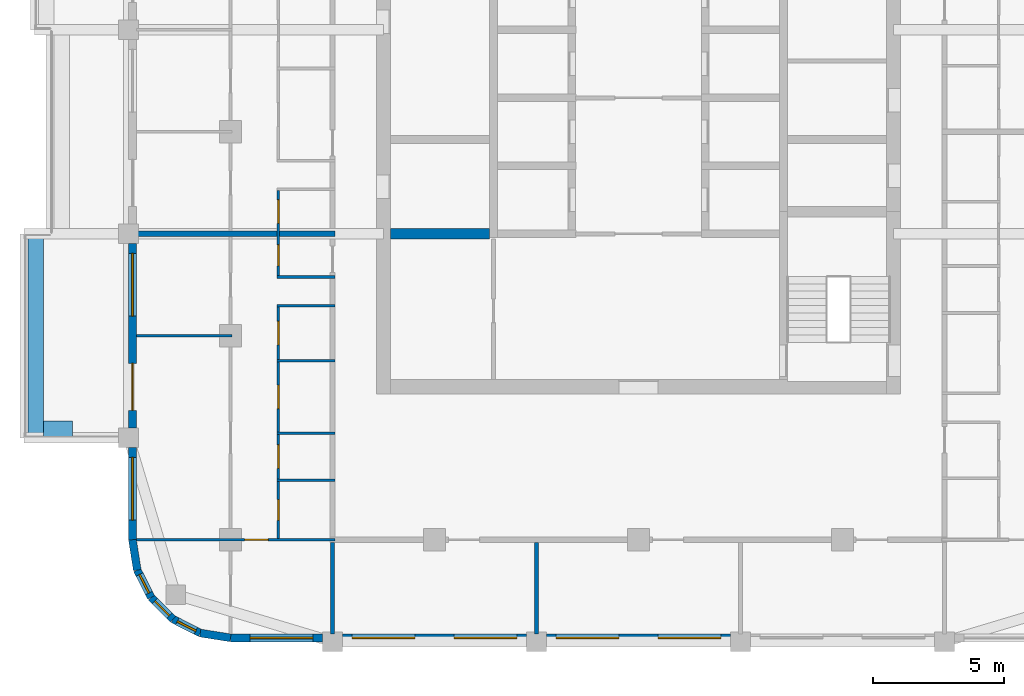
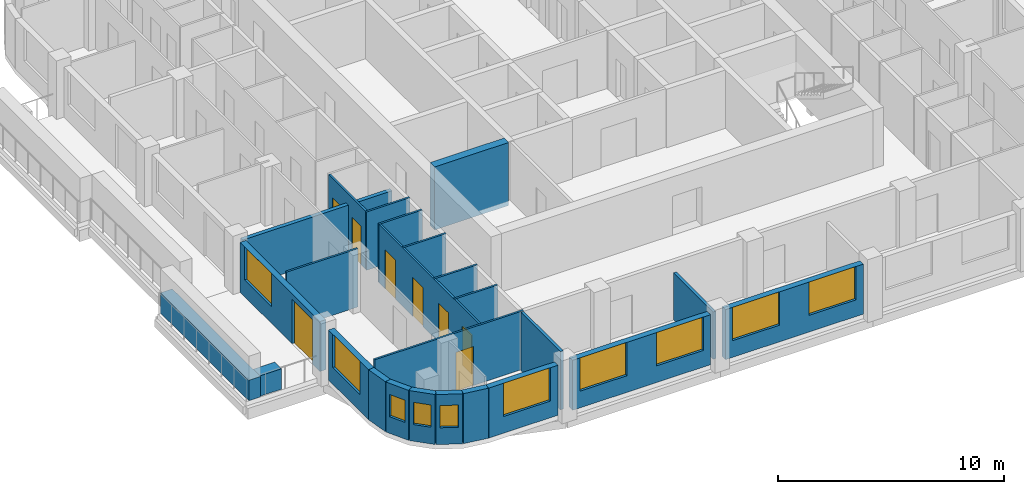
# One storey, part 2 of 13: 25 walls, 10 windows, 8 doors, 18 openings.
"""IFC4 building model written with IfcOpenShell, lengths in metres."""

from ifc_helpers import new_model, si_unit, direction, frame, frame_2d, origin, place, context, subcontext, project, spatial, rectangle, extrude, material, layer, layer_set, type_object, element, fill, save


model = new_model("IFC4")

# Units and contexts
model_context = context("Model", 3, precision=1e-05, world=origin(), true_north=direction((0.0, 1.0)))
body_context = subcontext(model_context, "Body", "Model", "MODEL_VIEW")
ifc_project = project(units=[si_unit("LENGTHUNIT", "METRE"), si_unit("AREAUNIT", "SQUARE_METRE"), si_unit("VOLUMEUNIT", "CUBIC_METRE"), si_unit("PLANEANGLEUNIT", "RADIAN"), si_unit("MASSUNIT", "GRAM", prefix="KILO")], contexts=[model_context])

# Site, building, storey
site_placement = place(None, origin())
site = spatial("IfcSite", under=ifc_project, at=site_placement, CompositionType="ELEMENT")
building_placement = place(site_placement, origin())
building = spatial("IfcBuilding", under=site, at=building_placement, Name="Ludao Terraces", CompositionType="ELEMENT")
storey_placement = place(building_placement, frame((0.0, 0.0, 155.39990234375)))
storey = spatial("IfcBuildingStorey", under=building, at=storey_placement, Name="L42", CompositionType="ELEMENT", Elevation=155.39990234375)

# Walls
ifc_material_1 = material(Name="Concrete C40", Category="concrete")
ifc_layer_1 = layer(ifc_material_1, 0.60009765625)
ifc_layer_set_1 = layer_set([ifc_layer_1], Name="ENV Planter trough 600")
wall_type_1 = type_object("IfcWallType", Name="ENV Planter trough 600", PredefinedType="USERDEFINED", material=ifc_layer_set_1)
wall_1_placement = place(storey_placement, frame((61.949951171875, 53.300048828125, 0.0), z_axis=(0.0, 0.0, 1.0), x_axis=(0.0, 1.0, 0.0)))
element("IfcWall", 1, at=wall_1_placement, inside=storey, type_object=wall_type_1, Name="PL-L42-W1", ObjectType="PLANTER", PredefinedType="USERDEFINED", context=body_context, shape_type="SweptSolid", body=[
    extrude(rectangle(XDim=7.800048828125, YDim=0.60009765625, at=frame_2d((3.89990234375, 0.0))), origin(), (0.0, 0.0, 1.0), 1.10009765625),
])
wall_2_placement = place(storey_placement, frame((62.25, 53.64990234375, 0.0), z_axis=(0.0, 0.0, 1.0), x_axis=(1.0, 0.0, 0.0)))
element("IfcWall", 2, at=wall_2_placement, inside=storey, type_object=wall_type_1, Name="PL-L42-W1-SA", ObjectType="PLANTER", PredefinedType="USERDEFINED", context=body_context, shape_type="SweptSolid", body=[
    extrude(rectangle(XDim=1.10009765625, YDim=0.60009765625, at=frame_2d((0.550048828125, 0.0))), origin(), (0.0, 0.0, 1.0), 1.10009765625),
])

# Wall, opening, window
ifc_material_2 = material(Name="Granite cladding", Category="masonry")
ifc_layer_2 = layer(ifc_material_2, 0.0400390625, Category="stone")
ifc_material_3 = material(Name="Mineral wool")
ifc_layer_3 = layer(ifc_material_3, 0.06005859375)
ifc_layer_4 = layer(ifc_material_1, 0.199951171875, Category="concrete")
ifc_layer_set_2 = layer_set([ifc_layer_2, ifc_layer_3, ifc_layer_4], Name="ENV Stone-clad wall 300")
wall_type_2 = type_object("IfcWallType", Name="ENV Stone-clad wall 300", PredefinedType="SOLIDWALL", material=ifc_layer_set_2)
wall_3_placement = place(storey_placement, frame((69.39990234375, 45.64990234375, 0.0), z_axis=(0.0, 0.0, 1.0), x_axis=(1.0, 0.0, 0.0)))
wall_3 = element("IfcWall", 3, at=wall_3_placement, inside=storey, type_object=wall_type_2, Name="EW-L42-S1", PredefinedType="SOLIDWALL", context=body_context, shape_type="SweptSolid", body=[
    extrude(rectangle(XDim=3.525146484375, YDim=0.300048828125, at=frame_2d((1.7626953125, 0.0))), origin(), (0.0, 0.0, 1.0), 2.7001953125),
])
opening_1_placement = place(wall_3_placement, frame((0.75, 0.0, 0.89990234375)))
opening_1 = element("IfcOpeningElement", 4, at=opening_1_placement, cuts=wall_3, Name="Opening W1", PredefinedType="OPENING", context=body_context, shape_type="SweptSolid", body=[
    extrude(rectangle(XDim=2.39990234375, YDim=1.800048828125, at=frame_2d((1.199951171875, 0.89990234375))), frame((0.0, 0.16015625, 0.0), z_axis=(0.0, -1.0, 0.0), x_axis=(1.0, 0.0, 0.0)), (0.0, 0.0, 1.0), 0.320068359375),
])
ifc_material_4 = material(Name="Clear glass in aluminium frame", Category="aluminium")
ifc_layer_5 = layer(ifc_material_4, 0.06005859375)
ifc_layer_set_3 = layer_set([ifc_layer_5], Name="ENV Window W1 2400x1800")
window_type_1 = type_object("IfcWindowType", Name="ENV Window W1 2400x1800", PartitioningType="DOUBLE_PANEL_VERTICAL", PredefinedType="WINDOW", material=ifc_layer_set_3)
window_1_placement = place(opening_1_placement, origin())
window_1 = element("IfcWindow", 5, at=window_1_placement, inside=storey, type_object=window_type_1, Name="W-L42-S1-1", OverallHeight=1.800048828125, OverallWidth=2.39990234375, PartitioningType="DOUBLE_PANEL_VERTICAL", PredefinedType="WINDOW", context=body_context, shape_type="SweptSolid", body=[
    extrude(rectangle(XDim=2.39990234375, YDim=1.800048828125, at=frame_2d((1.199951171875, 0.89990234375))), frame((0.0, 0.030029296875, 0.0), z_axis=(0.0, -1.0, 0.0), x_axis=(1.0, 0.0, 0.0)), (0.0, 0.0, 1.0), 0.06005859375),
])
fill(opening_1, window_1)

# Wall, openings, windows
wall_4_placement = place(storey_placement, frame((73.675048828125, 45.64990234375, 0.0), z_axis=(0.0, 0.0, 1.0), x_axis=(1.0, 0.0, 0.0)))
wall_4 = element("IfcWall", 6, at=wall_4_placement, inside=storey, type_object=wall_type_2, Name="EW-L42-S2", PredefinedType="SOLIDWALL", context=body_context, shape_type="SweptSolid", body=[
    extrude(rectangle(XDim=7.050048828125, YDim=0.300048828125, at=frame_2d((3.52490234375, 0.0))), origin(), (0.0, 0.0, 1.0), 2.7001953125),
])
opening_2_placement = place(wall_4_placement, frame((0.375, 0.0, 0.89990234375)))
opening_2 = element("IfcOpeningElement", 7, at=opening_2_placement, cuts=wall_4, Name="Opening W1", PredefinedType="OPENING", context=body_context, shape_type="SweptSolid", body=[
    extrude(rectangle(XDim=2.39990234375, YDim=1.800048828125, at=frame_2d((1.199951171875, 0.89990234375))), frame((0.0, 0.16015625, 0.0), z_axis=(0.0, -1.0, 0.0), x_axis=(1.0, 0.0, 0.0)), (0.0, 0.0, 1.0), 0.320068359375),
])
opening_3_placement = place(wall_4_placement, frame((4.27490234375, 0.0, 0.89990234375)))
opening_3 = element("IfcOpeningElement", 8, at=opening_3_placement, cuts=wall_4, Name="Opening W1", PredefinedType="OPENING", context=body_context, shape_type="SweptSolid", body=[
    extrude(rectangle(XDim=2.39990234375, YDim=1.800048828125, at=frame_2d((1.199951171875, 0.89990234375))), frame((0.0, 0.16015625, 0.0), z_axis=(0.0, -1.0, 0.0), x_axis=(1.0, 0.0, 0.0)), (0.0, 0.0, 1.0), 0.320068359375),
])
window_2_placement = place(opening_2_placement, origin())
window_2 = element("IfcWindow", 9, at=window_2_placement, inside=storey, type_object=window_type_1, Name="W-L42-S2-1", OverallHeight=1.800048828125, OverallWidth=2.39990234375, PartitioningType="DOUBLE_PANEL_VERTICAL", PredefinedType="WINDOW", context=body_context, shape_type="SweptSolid", body=[
    extrude(rectangle(XDim=2.39990234375, YDim=1.800048828125, at=frame_2d((1.199951171875, 0.89990234375))), frame((0.0, 0.030029296875, 0.0), z_axis=(0.0, -1.0, 0.0), x_axis=(1.0, 0.0, 0.0)), (0.0, 0.0, 1.0), 0.06005859375),
])
fill(opening_2, window_2)
window_3_placement = place(opening_3_placement, origin())
window_3 = element("IfcWindow", 10, at=window_3_placement, inside=storey, type_object=window_type_1, Name="W-L42-S2-2", OverallHeight=1.800048828125, OverallWidth=2.39990234375, PartitioningType="DOUBLE_PANEL_VERTICAL", PredefinedType="WINDOW", context=body_context, shape_type="SweptSolid", body=[
    extrude(rectangle(XDim=2.39990234375, YDim=1.800048828125, at=frame_2d((1.199951171875, 0.89990234375))), frame((0.0, 0.030029296875, 0.0), z_axis=(0.0, -1.0, 0.0), x_axis=(1.0, 0.0, 0.0)), (0.0, 0.0, 1.0), 0.06005859375),
])
fill(opening_3, window_3)

wall_5_placement = place(storey_placement, frame((81.47509765625, 45.64990234375, 0.0), z_axis=(0.0, 0.0, 1.0), x_axis=(1.0, 0.0, 0.0)))
wall_5 = element("IfcWall", 11, at=wall_5_placement, inside=storey, type_object=wall_type_2, Name="EW-L42-S3", PredefinedType="SOLIDWALL", context=body_context, shape_type="SweptSolid", body=[
    extrude(rectangle(XDim=7.0498046875, YDim=0.300048828125, at=frame_2d((3.52490234375, 0.0))), origin(), (0.0, 0.0, 1.0), 2.7001953125),
])
opening_4_placement = place(wall_5_placement, frame((0.375, 0.0, 0.89990234375)))
opening_4 = element("IfcOpeningElement", 12, at=opening_4_placement, cuts=wall_5, Name="Opening W1", PredefinedType="OPENING", context=body_context, shape_type="SweptSolid", body=[
    extrude(rectangle(XDim=2.39990234375, YDim=1.800048828125, at=frame_2d((1.199951171875, 0.89990234375))), frame((0.0, 0.16015625, 0.0), z_axis=(0.0, -1.0, 0.0), x_axis=(1.0, 0.0, 0.0)), (0.0, 0.0, 1.0), 0.320068359375),
])
opening_5_placement = place(wall_5_placement, frame((4.27490234375, 0.0, 0.89990234375)))
opening_5 = element("IfcOpeningElement", 13, at=opening_5_placement, cuts=wall_5, Name="Opening W1", PredefinedType="OPENING", context=body_context, shape_type="SweptSolid", body=[
    extrude(rectangle(XDim=2.39990234375, YDim=1.800048828125, at=frame_2d((1.199951171875, 0.89990234375))), frame((0.0, 0.16015625, 0.0), z_axis=(0.0, -1.0, 0.0), x_axis=(1.0, 0.0, 0.0)), (0.0, 0.0, 1.0), 0.320068359375),
])
window_4_placement = place(opening_4_placement, origin())
window_4 = element("IfcWindow", 14, at=window_4_placement, inside=storey, type_object=window_type_1, Name="W-L42-S3-1", OverallHeight=1.800048828125, OverallWidth=2.39990234375, PartitioningType="DOUBLE_PANEL_VERTICAL", PredefinedType="WINDOW", context=body_context, shape_type="SweptSolid", body=[
    extrude(rectangle(XDim=2.39990234375, YDim=1.800048828125, at=frame_2d((1.199951171875, 0.89990234375))), frame((0.0, 0.030029296875, 0.0), z_axis=(0.0, -1.0, 0.0), x_axis=(1.0, 0.0, 0.0)), (0.0, 0.0, 1.0), 0.06005859375),
])
fill(opening_4, window_4)
window_5_placement = place(opening_5_placement, origin())
window_5 = element("IfcWindow", 15, at=window_5_placement, inside=storey, type_object=window_type_1, Name="W-L42-S3-2", OverallHeight=1.800048828125, OverallWidth=2.39990234375, PartitioningType="DOUBLE_PANEL_VERTICAL", PredefinedType="WINDOW", context=body_context, shape_type="SweptSolid", body=[
    extrude(rectangle(XDim=2.39990234375, YDim=1.800048828125, at=frame_2d((1.199951171875, 0.89990234375))), frame((0.0, 0.030029296875, 0.0), z_axis=(0.0, -1.0, 0.0), x_axis=(1.0, 0.0, 0.0)), (0.0, 0.0, 1.0), 0.06005859375),
])
fill(opening_5, window_5)

# Wall, opening, window
wall_6_placement = place(storey_placement, frame((65.64990234375, 49.39990234375, 0.0), z_axis=(0.0, 0.0, 1.0), x_axis=(0.0, 1.0, 0.0)))
wall_6 = element("IfcWall", 16, at=wall_6_placement, inside=storey, type_object=wall_type_2, Name="EW-L42-W1", PredefinedType="SOLIDWALL", context=body_context, shape_type="SweptSolid", body=[
    extrude(rectangle(XDim=3.525146484375, YDim=0.300048828125, at=frame_2d((1.7626953125, 0.0))), origin(), (0.0, 0.0, 1.0), 2.7001953125),
])
opening_6_placement = place(wall_6_placement, frame((0.75, 0.0, 0.89990234375)))
opening_6 = element("IfcOpeningElement", 17, at=opening_6_placement, cuts=wall_6, Name="Opening W1", PredefinedType="OPENING", context=body_context, shape_type="SweptSolid", body=[
    extrude(rectangle(XDim=2.39990234375, YDim=1.800048828125, at=frame_2d((1.199951171875, 0.89990234375))), frame((0.0, 0.16015625, 0.0), z_axis=(0.0, -1.0, 0.0), x_axis=(1.0, 0.0, 0.0)), (0.0, 0.0, 1.0), 0.320068359375),
])
window_6_placement = place(opening_6_placement, origin())
window_6 = element("IfcWindow", 18, at=window_6_placement, inside=storey, type_object=window_type_1, Name="W-L42-W1-1", OverallHeight=1.800048828125, OverallWidth=2.39990234375, PartitioningType="DOUBLE_PANEL_VERTICAL", PredefinedType="WINDOW", context=body_context, shape_type="SweptSolid", body=[
    extrude(rectangle(XDim=2.39990234375, YDim=1.800048828125, at=frame_2d((1.199951171875, 0.89990234375))), frame((0.0, 0.030029296875, 0.0), z_axis=(0.0, -1.0, 0.0), x_axis=(1.0, 0.0, 0.0)), (0.0, 0.0, 1.0), 0.06005859375),
])
fill(opening_6, window_6)

# Wall, openings, door, window
wall_7_placement = place(storey_placement, frame((65.64990234375, 53.675048828125, 0.0), z_axis=(0.0, 0.0, 1.0), x_axis=(0.0, 1.0, 0.0)))
wall_7 = element("IfcWall", 19, at=wall_7_placement, inside=storey, type_object=wall_type_2, Name="EW-L42-W2", PredefinedType="SOLIDWALL", context=body_context, shape_type="SweptSolid", body=[
    extrude(rectangle(XDim=7.050048828125, YDim=0.300048828125, at=frame_2d((3.52490234375, 0.0))), origin(), (0.0, 0.0, 1.0), 2.7001953125),
])
opening_7_placement = place(wall_7_placement, frame((0.675048828125, 0.0, 0.0)))
opening_7 = element("IfcOpeningElement", 20, at=opening_7_placement, cuts=wall_7, Name="Opening BD", PredefinedType="OPENING", context=body_context, shape_type="SweptSolid", body=[
    extrude(rectangle(XDim=1.800048828125, YDim=2.39990234375, at=frame_2d((0.89990234375, 1.199951171875))), frame((0.0, 0.16015625, 0.0), z_axis=(0.0, -1.0, 0.0), x_axis=(1.0, 0.0, 0.0)), (0.0, 0.0, 1.0), 0.320068359375),
])
opening_8_placement = place(wall_7_placement, frame((4.27490234375, 0.0, 0.89990234375)))
opening_8 = element("IfcOpeningElement", 21, at=opening_8_placement, cuts=wall_7, Name="Opening W1", PredefinedType="OPENING", context=body_context, shape_type="SweptSolid", body=[
    extrude(rectangle(XDim=2.39990234375, YDim=1.800048828125, at=frame_2d((1.199951171875, 0.89990234375))), frame((0.0, 0.16015625, 0.0), z_axis=(0.0, -1.0, 0.0), x_axis=(1.0, 0.0, 0.0)), (0.0, 0.0, 1.0), 0.320068359375),
])
ifc_material_5 = material(Name="Aluminium glazed door", Category="aluminium")
ifc_layer_6 = layer(ifc_material_5, 0.06005859375)
ifc_layer_set_4 = layer_set([ifc_layer_6], Name="ENV Balcony door BD 1800x2400")
door_type_1 = type_object("IfcDoorType", Name="ENV Balcony door BD 1800x2400", OperationType="DOUBLE_DOOR_SINGLE_SWING", PredefinedType="DOOR", material=ifc_layer_set_4)
door_1_placement = place(opening_7_placement, origin())
door_1 = element("IfcDoor", 22, at=door_1_placement, inside=storey, type_object=door_type_1, Name="BD-L42-W2-1", OperationType="DOUBLE_DOOR_SINGLE_SWING", OverallHeight=2.39990234375, OverallWidth=1.800048828125, PredefinedType="DOOR", context=body_context, shape_type="SweptSolid", body=[
    extrude(rectangle(XDim=1.800048828125, YDim=2.39990234375, at=frame_2d((0.89990234375, 1.199951171875))), frame((0.0, 0.02490234375, 0.0), z_axis=(0.0, -1.0, 0.0), x_axis=(1.0, 0.0, 0.0)), (0.0, 0.0, 1.0), 0.050048828125),
])
fill(opening_7, door_1)
window_7_placement = place(opening_8_placement, origin())
window_7 = element("IfcWindow", 23, at=window_7_placement, inside=storey, type_object=window_type_1, Name="W-L42-W2-2", OverallHeight=1.800048828125, OverallWidth=2.39990234375, PartitioningType="DOUBLE_PANEL_VERTICAL", PredefinedType="WINDOW", context=body_context, shape_type="SweptSolid", body=[
    extrude(rectangle(XDim=2.39990234375, YDim=1.800048828125, at=frame_2d((1.199951171875, 0.89990234375))), frame((0.0, 0.030029296875, 0.0), z_axis=(0.0, -1.0, 0.0), x_axis=(1.0, 0.0, 0.0)), (0.0, 0.0, 1.0), 0.06005859375),
])
fill(opening_8, window_7)

# Wall
wall_8_placement = place(storey_placement, frame((65.64990234375, 49.39990234375, 0.0), z_axis=(0.0, 0.0, 1.0), x_axis=(0.156496880861, -0.987678452879, 0.0)))
element("IfcWall", 24, at=wall_8_placement, inside=storey, type_object=wall_type_2, Name="EW-L42-SW1", PredefinedType="SOLIDWALL", context=body_context, shape_type="SweptSolid", body=[
    extrude(rectangle(XDim=1.173095703125, YDim=0.300048828125, at=frame_2d((0.58642578125, 0.0))), origin(), (0.0, 0.0, 1.0), 2.7001953125),
])

# Wall, opening, window
wall_9_placement = place(storey_placement, frame((65.83349609375, 48.2412109375, 0.0), z_axis=(0.0, 0.0, 1.0), x_axis=(0.454025524128, -0.890988677504, 0.0)))
wall_9 = element("IfcWall", 25, at=wall_9_placement, inside=storey, type_object=wall_type_2, Name="EW-L42-SW2", PredefinedType="SOLIDWALL", context=body_context, shape_type="SweptSolid", body=[
    extrude(rectangle(XDim=1.17333984375, YDim=0.300048828125, at=frame_2d((0.586669921875, 0.0))), origin(), (0.0, 0.0, 1.0), 2.7001953125),
])
opening_9_placement = place(wall_9_placement, frame((0.1865234375, 0.0, 0.89990234375)))
opening_9 = element("IfcOpeningElement", 26, at=opening_9_placement, cuts=wall_9, Name="Opening W3", PredefinedType="OPENING", context=body_context, shape_type="SweptSolid", body=[
    extrude(rectangle(XDim=0.800048828125, YDim=1.199951171875, at=frame_2d((0.39990234375, 0.60009765625))), frame((0.0, 0.16015625, 0.0), z_axis=(0.0, -1.0, 0.0), x_axis=(1.0, 0.0, 0.0)), (0.0, 0.0, 1.0), 0.320068359375),
])
ifc_layer_7 = layer(ifc_material_4, 0.06005859375)
ifc_layer_set_5 = layer_set([ifc_layer_7], Name="ENV Window W3 800x1200")
window_type_2 = type_object("IfcWindowType", Name="ENV Window W3 800x1200", PartitioningType="SINGLE_PANEL", PredefinedType="WINDOW", material=ifc_layer_set_5)
window_8_placement = place(opening_9_placement, origin())
window_8 = element("IfcWindow", 27, at=window_8_placement, inside=storey, type_object=window_type_2, Name="W-L42-SW2", OverallHeight=1.199951171875, OverallWidth=0.800048828125, PartitioningType="SINGLE_PANEL", PredefinedType="WINDOW", context=body_context, shape_type="SweptSolid", body=[
    extrude(rectangle(XDim=0.800048828125, YDim=1.199951171875, at=frame_2d((0.39990234375, 0.60009765625))), frame((0.0, 0.030029296875, 0.0), z_axis=(0.0, -1.0, 0.0), x_axis=(1.0, 0.0, 0.0)), (0.0, 0.0, 1.0), 0.06005859375),
])
fill(opening_9, window_8)

wall_10_placement = place(storey_placement, frame((66.3662109375, 47.19580078125, 0.0), z_axis=(0.0, 0.0, 1.0), x_axis=(0.707106781187, -0.707106781187, 0.0)))
wall_10 = element("IfcWall", 28, at=wall_10_placement, inside=storey, type_object=wall_type_2, Name="EW-L42-SW3", PredefinedType="SOLIDWALL", context=body_context, shape_type="SweptSolid", body=[
    extrude(rectangle(XDim=1.173095703125, YDim=0.300048828125, at=frame_2d((0.58642578125, 0.0))), origin(), (0.0, 0.0, 1.0), 2.7001953125),
])
opening_10_placement = place(wall_10_placement, frame((0.1865234375, 0.0, 0.89990234375)))
opening_10 = element("IfcOpeningElement", 29, at=opening_10_placement, cuts=wall_10, Name="Opening W3", PredefinedType="OPENING", context=body_context, shape_type="SweptSolid", body=[
    extrude(rectangle(XDim=0.800048828125, YDim=1.199951171875, at=frame_2d((0.39990234375, 0.60009765625))), frame((0.0, 0.16015625, 0.0), z_axis=(0.0, -1.0, 0.0), x_axis=(1.0, 0.0, 0.0)), (0.0, 0.0, 1.0), 0.320068359375),
])
window_9_placement = place(opening_10_placement, origin())
window_9 = element("IfcWindow", 30, at=window_9_placement, inside=storey, type_object=window_type_2, Name="W-L42-SW3", OverallHeight=1.199951171875, OverallWidth=0.800048828125, PartitioningType="SINGLE_PANEL", PredefinedType="WINDOW", context=body_context, shape_type="SweptSolid", body=[
    extrude(rectangle(XDim=0.800048828125, YDim=1.199951171875, at=frame_2d((0.39990234375, 0.60009765625))), frame((0.0, 0.030029296875, 0.0), z_axis=(0.0, -1.0, 0.0), x_axis=(1.0, 0.0, 0.0)), (0.0, 0.0, 1.0), 0.06005859375),
])
fill(opening_10, window_9)

wall_11_placement = place(storey_placement, frame((67.19580078125, 46.3662109375, 0.0), z_axis=(0.0, 0.0, 1.0), x_axis=(0.890988677504, -0.454025524128, 0.0)))
wall_11 = element("IfcWall", 31, at=wall_11_placement, inside=storey, type_object=wall_type_2, Name="EW-L42-SW4", PredefinedType="SOLIDWALL", context=body_context, shape_type="SweptSolid", body=[
    extrude(rectangle(XDim=1.17333984375, YDim=0.300048828125, at=frame_2d((0.586669921875, 0.0))), origin(), (0.0, 0.0, 1.0), 2.7001953125),
])
opening_11_placement = place(wall_11_placement, frame((0.1865234375, 0.0, 0.89990234375)))
opening_11 = element("IfcOpeningElement", 32, at=opening_11_placement, cuts=wall_11, Name="Opening W3", PredefinedType="OPENING", context=body_context, shape_type="SweptSolid", body=[
    extrude(rectangle(XDim=0.800048828125, YDim=1.199951171875, at=frame_2d((0.39990234375, 0.60009765625))), frame((0.0, 0.16015625, 0.0), z_axis=(0.0, -1.0, 0.0), x_axis=(1.0, 0.0, 0.0)), (0.0, 0.0, 1.0), 0.320068359375),
])
window_10_placement = place(opening_11_placement, origin())
window_10 = element("IfcWindow", 33, at=window_10_placement, inside=storey, type_object=window_type_2, Name="W-L42-SW4", OverallHeight=1.199951171875, OverallWidth=0.800048828125, PartitioningType="SINGLE_PANEL", PredefinedType="WINDOW", context=body_context, shape_type="SweptSolid", body=[
    extrude(rectangle(XDim=0.800048828125, YDim=1.199951171875, at=frame_2d((0.39990234375, 0.60009765625))), frame((0.0, 0.030029296875, 0.0), z_axis=(0.0, -1.0, 0.0), x_axis=(1.0, 0.0, 0.0)), (0.0, 0.0, 1.0), 0.06005859375),
])
fill(opening_11, window_10)

# Wall
wall_12_placement = place(storey_placement, frame((68.2412109375, 45.83349609375, 0.0), z_axis=(0.0, 0.0, 1.0), x_axis=(0.987678452879, -0.156496880861, 0.0)))
element("IfcWall", 34, at=wall_12_placement, inside=storey, type_object=wall_type_2, Name="EW-L42-SW5", PredefinedType="SOLIDWALL", context=body_context, shape_type="SweptSolid", body=[
    extrude(rectangle(XDim=1.173095703125, YDim=0.300048828125, at=frame_2d((0.58642578125, 0.0))), origin(), (0.0, 0.0, 1.0), 2.7001953125),
])

# Wall, opening, door
ifc_material_6 = material(Name="Gypsum plasterboard", Category="gypsum")
ifc_layer_8 = layer(ifc_material_6, 0.012451171875, Category="gypsum")
ifc_layer_9 = layer(ifc_material_3, 0.06005859375, Name="insulation")
ifc_material_7 = material(Name="Steel Q235", Category="steel")
ifc_layer_10 = layer(ifc_material_7, 0.014892578125, Name="stud")
ifc_layer_11 = layer(ifc_material_6, 0.012451171875, Category="gypsum")
ifc_layer_set_6 = layer_set([ifc_layer_8, ifc_layer_9, ifc_layer_10, ifc_layer_11], Name="INT Partition 100")
wall_type_3 = type_object("IfcWallType", Name="INT Partition 100", PredefinedType="PARTITIONING", material=ifc_layer_set_6)
wall_13_placement = place(storey_placement, frame((65.800048828125, 49.39990234375, 0.0), z_axis=(0.0, 0.0, 1.0), x_axis=(1.0, 0.0, 0.0)))
wall_13 = element("IfcWall", 35, at=wall_13_placement, inside=storey, type_object=wall_type_3, Name="PW-L42-PW000", PredefinedType="PARTITIONING", context=body_context, shape_type="SweptSolid", body=[
    extrude(rectangle(XDim=7.60009765625, YDim=0.10009765625, at=frame_2d((3.800048828125, 0.0))), origin(), (0.0, 0.0, 1.0), 3.150146484375),
])
opening_12_placement = place(wall_13_placement, frame((4.139892578125, 0.0, 0.0)))
opening_12 = element("IfcOpeningElement", 36, at=opening_12_placement, cuts=wall_13, Name="Opening R14-003", PredefinedType="OPENING", context=body_context, shape_type="SweptSolid", body=[
    extrude(rectangle(XDim=0.89990234375, YDim=2.10009765625, at=frame_2d((0.449951171875, 1.050048828125))), frame((0.0, 0.06005859375, 0.0), z_axis=(0.0, -1.0, 0.0), x_axis=(1.0, 0.0, 0.0)), (0.0, 0.0, 1.0), 0.1201171875),
])
ifc_material_8 = material(Name="Timber door leaf", Category="wood")
door_type_2 = type_object("IfcDoorType", Name="INT Room door 900", OperationType="SINGLE_SWING_LEFT", PredefinedType="DOOR", material=ifc_material_8)
door_2_placement = place(opening_12_placement, origin())
door_2 = element("IfcDoor", 37, at=door_2_placement, inside=storey, type_object=door_type_2, Name="DOOR 003", OperationType="SINGLE_SWING_RIGHT", OverallHeight=2.10009765625, OverallWidth=0.89990234375, PredefinedType="DOOR", context=body_context, shape_type="SweptSolid", body=[
    extrude(rectangle(XDim=0.89990234375, YDim=2.10009765625, at=frame_2d((0.449951171875, 1.050048828125))), frame((0.0, 0.02490234375, 0.0), z_axis=(0.0, -1.0, 0.0), x_axis=(1.0, 0.0, 0.0)), (0.0, 0.0, 1.0), 0.050048828125),
])
fill(opening_12, door_2)

# Walls
for number, where, z_axis, x_axis, name in (
    (38, (71.18017578125, 51.679931640625, 0.0), (0.0, 0.0, 1.0), (1.0, 0.0, 0.0), "PW-L42-PW003"),
    (39, (71.18017578125, 53.47998046875, 0.0), (0.0, 0.0, 1.0), (1.0, 0.0, 0.0), "PW-L42-PW006"),
    (40, (71.18017578125, 56.25, 0.0), (0.0, 0.0, 1.0), (1.0, 0.0, 0.0), "PW-L42-PW009"),
):
    element("IfcWall", number, at=place(storey_placement, frame(where, z_axis=z_axis, x_axis=x_axis)), inside=storey, type_object=wall_type_3, Name=name, PredefinedType="PARTITIONING", context=body_context, shape_type="SweptSolid", body=[
        extrude(rectangle(XDim=2.219970703125, YDim=0.10009765625, at=frame_2d((1.10986328125, 0.0))), origin(), (0.0, 0.0, 1.0), 3.150146484375),
    ])
wall_14_placement = place(storey_placement, frame((65.800048828125, 57.199951171875, 0.0), z_axis=(0.0, 0.0, 1.0), x_axis=(1.0, 0.0, 0.0)))
element("IfcWall", 41, at=wall_14_placement, inside=storey, type_object=wall_type_3, Name="PW-L42-PW010", PredefinedType="PARTITIONING", context=body_context, shape_type="SweptSolid", body=[
    extrude(rectangle(XDim=3.650146484375, YDim=0.10009765625, at=frame_2d((1.8251953125, 0.0))), origin(), (0.0, 0.0, 1.0), 3.150146484375),
])
for number, where, z_axis, x_axis, name in (
    (42, (71.18017578125, 58.35009765625, 0.0), (0.0, 0.0, 1.0), (1.0, 0.0, 0.0), "PW-L42-PW013"),
    (43, (71.18017578125, 59.449951171875, 0.0), (0.0, 0.0, 1.0), (1.0, 0.0, 0.0), "PW-L42-PW014"),
):
    element("IfcWall", number, at=place(storey_placement, frame(where, z_axis=z_axis, x_axis=x_axis)), inside=storey, type_object=wall_type_3, Name=name, PredefinedType="PARTITIONING", context=body_context, shape_type="SweptSolid", body=[
        extrude(rectangle(XDim=2.219970703125, YDim=0.10009765625, at=frame_2d((1.10986328125, 0.0))), origin(), (0.0, 0.0, 1.0), 3.150146484375),
    ])

# Wall, openings, doors
wall_15_placement = place(storey_placement, frame((71.22998046875, 49.4501953125, 0.0), z_axis=(0.0, 0.0, 1.0), x_axis=(0.0, 1.0, 0.0)))
wall_15 = element("IfcWall", 44, at=wall_15_placement, inside=storey, type_object=wall_type_3, Name="PW-L42-PW049", PredefinedType="PARTITIONING", context=body_context, shape_type="SweptSolid", body=[
    extrude(rectangle(XDim=8.849853515625, YDim=0.10009765625, at=frame_2d((4.4248046875, 0.0))), origin(), (0.0, 0.0, 1.0), 3.150146484375),
])
opening_13_placement = place(wall_15_placement, frame((0.68994140625, 0.0, 0.0)))
opening_13 = element("IfcOpeningElement", 45, at=opening_13_placement, cuts=wall_15, Name="Opening R14-008", PredefinedType="OPENING", context=body_context, shape_type="SweptSolid", body=[
    extrude(rectangle(XDim=0.800048828125, YDim=2.10009765625, at=frame_2d((0.39990234375, 1.050048828125))), frame((0.0, 0.06005859375, 0.0), z_axis=(0.0, -1.0, 0.0), x_axis=(1.0, 0.0, 0.0)), (0.0, 0.0, 1.0), 0.1201171875),
])
opening_14_placement = place(wall_15_placement, frame((2.679931640625, 0.0, 0.0)))
opening_14 = element("IfcOpeningElement", 46, at=opening_14_placement, cuts=wall_15, Name="Opening R14-011", PredefinedType="OPENING", context=body_context, shape_type="SweptSolid", body=[
    extrude(rectangle(XDim=0.89990234375, YDim=2.10009765625, at=frame_2d((0.449951171875, 1.050048828125))), frame((0.0, 0.06005859375, 0.0), z_axis=(0.0, -1.0, 0.0), x_axis=(1.0, 0.0, 0.0)), (0.0, 0.0, 1.0), 0.1201171875),
])
opening_15_placement = place(wall_15_placement, frame((4.96484375, 0.0, 0.0)))
opening_15 = element("IfcOpeningElement", 47, at=opening_15_placement, cuts=wall_15, Name="Opening R14-015", PredefinedType="OPENING", context=body_context, shape_type="SweptSolid", body=[
    extrude(rectangle(XDim=0.89990234375, YDim=2.10009765625, at=frame_2d((0.449951171875, 1.050048828125))), frame((0.0, 0.06005859375, 0.0), z_axis=(0.0, -1.0, 0.0), x_axis=(1.0, 0.0, 0.0)), (0.0, 0.0, 1.0), 0.1201171875),
])
opening_16_placement = place(wall_15_placement, frame((7.39990234375, 0.0, 0.0)))
opening_16 = element("IfcOpeningElement", 48, at=opening_16_placement, cuts=wall_15, Name="Opening R14-021", PredefinedType="OPENING", context=body_context, shape_type="SweptSolid", body=[
    extrude(rectangle(XDim=0.89990234375, YDim=2.10009765625, at=frame_2d((0.449951171875, 1.050048828125))), frame((0.0, 0.06005859375, 0.0), z_axis=(0.0, -1.0, 0.0), x_axis=(1.0, 0.0, 0.0)), (0.0, 0.0, 1.0), 0.1201171875),
])
door_type_3 = type_object("IfcDoorType", Name="INT Bathroom door 900", OperationType="SINGLE_SWING_LEFT", PredefinedType="DOOR", material=ifc_material_8)
door_3_placement = place(opening_14_placement, origin())
door_3 = element("IfcDoor", 49, at=door_3_placement, inside=storey, type_object=door_type_3, Name="DOOR 011", OperationType="SINGLE_SWING_LEFT", OverallHeight=2.10009765625, OverallWidth=0.89990234375, PredefinedType="DOOR", context=body_context, shape_type="SweptSolid", body=[
    extrude(rectangle(XDim=0.89990234375, YDim=2.10009765625, at=frame_2d((0.449951171875, 1.050048828125))), frame((0.0, 0.02490234375, 0.0), z_axis=(0.0, -1.0, 0.0), x_axis=(1.0, 0.0, 0.0)), (0.0, 0.0, 1.0), 0.050048828125),
])
fill(opening_14, door_3)
door_4_placement = place(opening_16_placement, origin())
door_4 = element("IfcDoor", 50, at=door_4_placement, inside=storey, type_object=door_type_3, Name="DOOR 021", OperationType="SINGLE_SWING_LEFT", OverallHeight=2.10009765625, OverallWidth=0.89990234375, PredefinedType="DOOR", context=body_context, shape_type="SweptSolid", body=[
    extrude(rectangle(XDim=0.89990234375, YDim=2.10009765625, at=frame_2d((0.449951171875, 1.050048828125))), frame((0.0, 0.02490234375, 0.0), z_axis=(0.0, -1.0, 0.0), x_axis=(1.0, 0.0, 0.0)), (0.0, 0.0, 1.0), 0.050048828125),
])
fill(opening_16, door_4)
door_5_placement = place(opening_15_placement, origin())
door_5 = element("IfcDoor", 51, at=door_5_placement, inside=storey, type_object=door_type_2, Name="DOOR 015", OperationType="SINGLE_SWING_RIGHT", OverallHeight=2.10009765625, OverallWidth=0.89990234375, PredefinedType="DOOR", context=body_context, shape_type="SweptSolid", body=[
    extrude(rectangle(XDim=0.89990234375, YDim=2.10009765625, at=frame_2d((0.449951171875, 1.050048828125))), frame((0.0, 0.02490234375, 0.0), z_axis=(0.0, -1.0, 0.0), x_axis=(1.0, 0.0, 0.0)), (0.0, 0.0, 1.0), 0.050048828125),
])
fill(opening_15, door_5)
door_type_4 = type_object("IfcDoorType", Name="INT Store door 800", OperationType="SINGLE_SWING_LEFT", PredefinedType="DOOR", material=ifc_material_8)
door_6_placement = place(opening_13_placement, origin())
door_6 = element("IfcDoor", 52, at=door_6_placement, inside=storey, type_object=door_type_4, Name="DOOR 008", OperationType="SINGLE_SWING_RIGHT", OverallHeight=2.10009765625, OverallWidth=0.800048828125, PredefinedType="DOOR", context=body_context, shape_type="SweptSolid", body=[
    extrude(rectangle(XDim=0.800048828125, YDim=2.10009765625, at=frame_2d((0.39990234375, 1.050048828125))), frame((0.0, 0.02490234375, 0.0), z_axis=(0.0, -1.0, 0.0), x_axis=(1.0, 0.0, 0.0)), (0.0, 0.0, 1.0), 0.050048828125),
])
fill(opening_13, door_6)

wall_16_placement = place(storey_placement, frame((71.22998046875, 59.5, 0.0), z_axis=(0.0, 0.0, 1.0), x_axis=(0.0, 1.0, 0.0)))
wall_16 = element("IfcWall", 53, at=wall_16_placement, inside=storey, type_object=wall_type_3, Name="PW-L42-PW050", PredefinedType="PARTITIONING", context=body_context, shape_type="SweptSolid", body=[
    extrude(rectangle(XDim=3.25, YDim=0.10009765625, at=frame_2d((1.625, 0.0))), origin(), (0.0, 0.0, 1.0), 3.150146484375),
])
opening_17_placement = place(wall_16_placement, frame((0.375, 0.0, 0.0)))
opening_17 = element("IfcOpeningElement", 54, at=opening_17_placement, cuts=wall_16, Name="Opening R14-027", PredefinedType="OPENING", context=body_context, shape_type="SweptSolid", body=[
    extrude(rectangle(XDim=0.800048828125, YDim=2.10009765625, at=frame_2d((0.39990234375, 1.050048828125))), frame((0.0, 0.06005859375, 0.0), z_axis=(0.0, -1.0, 0.0), x_axis=(1.0, 0.0, 0.0)), (0.0, 0.0, 1.0), 0.1201171875),
])
opening_18_placement = place(wall_16_placement, frame((2.0, 0.0, 0.0)))
opening_18 = element("IfcOpeningElement", 55, at=opening_18_placement, cuts=wall_16, Name="Opening R14-030", PredefinedType="OPENING", context=body_context, shape_type="SweptSolid", body=[
    extrude(rectangle(XDim=0.89990234375, YDim=2.10009765625, at=frame_2d((0.449951171875, 1.050048828125))), frame((0.0, 0.06005859375, 0.0), z_axis=(0.0, -1.0, 0.0), x_axis=(1.0, 0.0, 0.0)), (0.0, 0.0, 1.0), 0.1201171875),
])
door_7_placement = place(opening_18_placement, origin())
door_7 = element("IfcDoor", 56, at=door_7_placement, inside=storey, type_object=door_type_3, Name="DOOR 030", OperationType="SINGLE_SWING_RIGHT", OverallHeight=2.10009765625, OverallWidth=0.89990234375, PredefinedType="DOOR", context=body_context, shape_type="SweptSolid", body=[
    extrude(rectangle(XDim=0.89990234375, YDim=2.10009765625, at=frame_2d((0.449951171875, 1.050048828125))), frame((0.0, 0.02490234375, 0.0), z_axis=(0.0, -1.0, 0.0), x_axis=(1.0, 0.0, 0.0)), (0.0, 0.0, 1.0), 0.050048828125),
])
fill(opening_18, door_7)
door_8_placement = place(opening_17_placement, origin())
door_8 = element("IfcDoor", 57, at=door_8_placement, inside=storey, type_object=door_type_4, Name="DOOR 027", OperationType="SINGLE_SWING_LEFT", OverallHeight=2.10009765625, OverallWidth=0.800048828125, PredefinedType="DOOR", context=body_context, shape_type="SweptSolid", body=[
    extrude(rectangle(XDim=0.800048828125, YDim=2.10009765625, at=frame_2d((0.39990234375, 1.050048828125))), frame((0.0, 0.02490234375, 0.0), z_axis=(0.0, -1.0, 0.0), x_axis=(1.0, 0.0, 0.0)), (0.0, 0.0, 1.0), 0.050048828125),
])
fill(opening_17, door_8)

# Walls
ifc_material_9 = material(Name="Autoclaved aerated concrete block B06 A3.5", Category="concrete")
ifc_layer_12 = layer(ifc_material_9, 0.14990234375)
ifc_layer_set_7 = layer_set([ifc_layer_12], Name="INT Party wall 150")
wall_type_4 = type_object("IfcWallType", Name="INT Party wall 150", PredefinedType="PARTITIONING", material=ifc_layer_set_7)
wall_17_placement = place(storey_placement, frame((73.300048828125, 45.800048828125, 0.0), z_axis=(0.0, 0.0, 1.0), x_axis=(0.0, 1.0, 0.0)))
element("IfcWall", 58, at=wall_17_placement, inside=storey, type_object=wall_type_4, Name="PW-L42-PW053", PredefinedType="PARTITIONING", context=body_context, shape_type="SweptSolid", body=[
    extrude(rectangle(XDim=3.5, YDim=0.14990234375, at=frame_2d((1.75, 0.0))), origin(), (0.0, 0.0, 1.0), 3.150146484375),
])
wall_18_placement = place(storey_placement, frame((81.10009765625, 45.800048828125, 0.0), z_axis=(0.0, 0.0, 1.0), x_axis=(0.0, 1.0, 0.0)))
element("IfcWall", 59, at=wall_18_placement, inside=storey, type_object=wall_type_4, Name="PW-L42-PW056", PredefinedType="PARTITIONING", context=body_context, shape_type="SweptSolid", body=[
    extrude(rectangle(XDim=3.5, YDim=0.14990234375, at=frame_2d((1.75, 0.0))), origin(), (0.0, 0.0, 1.0), 2.550048828125),
])
ifc_layer_13 = layer(ifc_material_9, 0.199951171875)
ifc_layer_set_8 = layer_set([ifc_layer_13], Name="INT Party wall 200")
wall_type_5 = type_object("IfcWallType", Name="INT Party wall 200", PredefinedType="PARTITIONING", material=ifc_layer_set_8)
wall_19_placement = place(storey_placement, frame((65.800048828125, 61.10009765625, 0.0), z_axis=(0.0, 0.0, 1.0), x_axis=(1.0, 0.0, 0.0)))
element("IfcWall", 60, at=wall_19_placement, inside=storey, type_object=wall_type_5, Name="PW-L42-PW016", PredefinedType="PARTITIONING", context=body_context, shape_type="SweptSolid", body=[
    extrude(rectangle(XDim=7.60009765625, YDim=0.199951171875, at=frame_2d((3.800048828125, 0.0))), origin(), (0.0, 0.0, 1.0), 2.550048828125),
])
ifc_material_10 = material(Name="Concrete C55", Category="concrete")
ifc_layer_14 = layer(ifc_material_10, 0.39990234375)
ifc_layer_set_9 = layer_set([ifc_layer_14], Name="Shaft wall 400 C55")
wall_type_6 = type_object("IfcWallType", Name="Shaft wall 400 C55", PredefinedType="SOLIDWALL", material=ifc_layer_set_9)
wall_20_placement = place(storey_placement, frame((75.52490234375, 61.10009765625, -0.25), z_axis=(0.0, 0.0, 1.0), x_axis=(1.0, 0.0, 0.0)))
element("IfcWall", 61, at=wall_20_placement, inside=storey, type_object=wall_type_6, Name="Core wall L42 hall-W", PredefinedType="SOLIDWALL", context=body_context, shape_type="SweptSolid", body=[
    extrude(rectangle(XDim=3.775146484375, YDim=0.39990234375, at=frame_2d((1.8876953125, 0.0))), origin(), (0.0, 0.0, 1.0), 3.400146484375),
])

save(model, "model.ifc")
